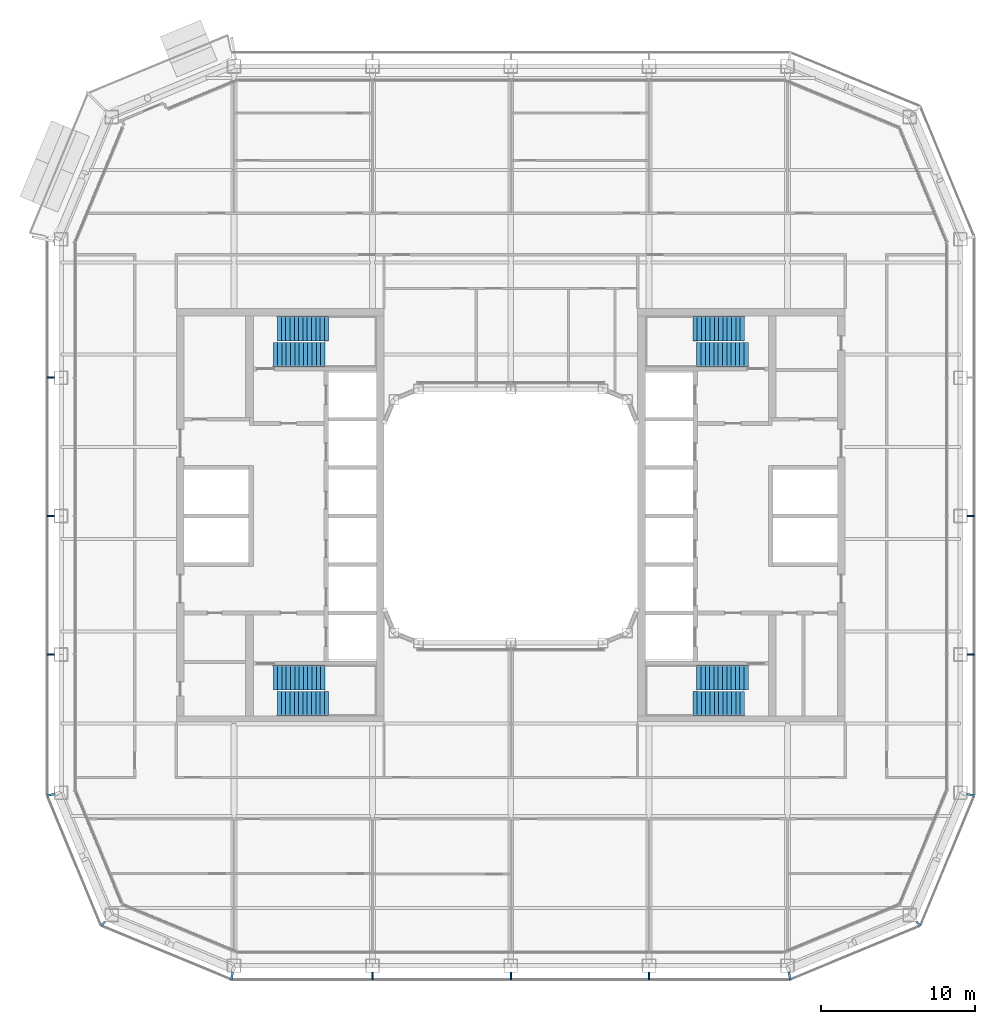
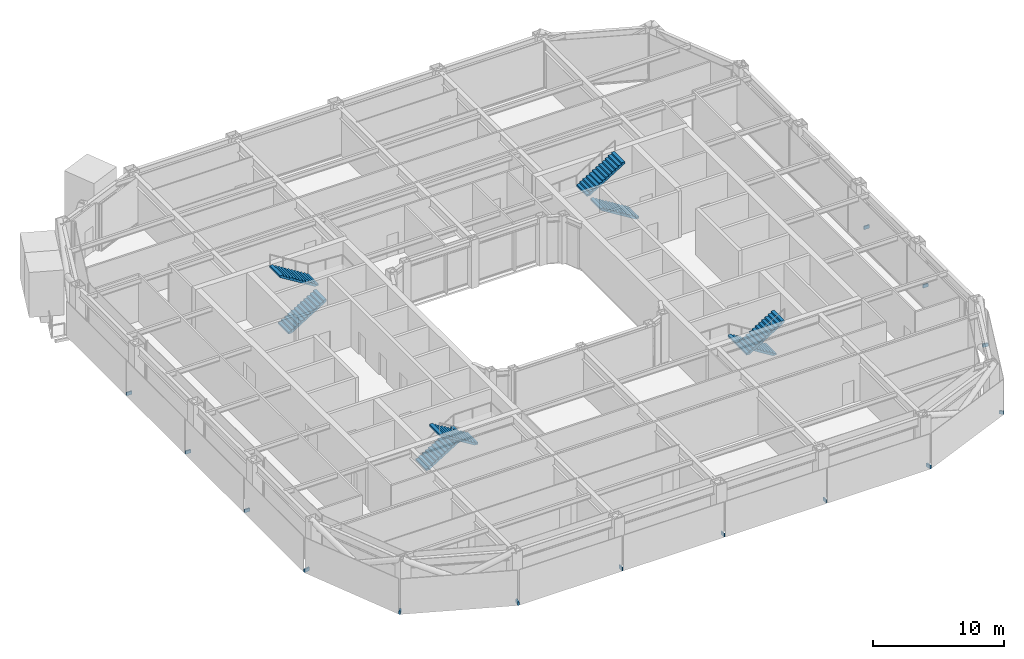
# One storey, part 15 of 23: 14 discrete accessories, 8 stair flights, 4 elements without a shape of their own.
"""IFC4 building model written with IfcOpenShell, lengths in metres."""

from ifc_helpers import new_model, si_unit, direction, frame, origin, origin_2d, place, context, subcontext, project, spatial, polyline, rectangle, outline, extrude, material, type_object, element, aggregate, save


model = new_model("IFC4")

# Units and contexts
model_context = context("Model", 3, precision=1e-05, world=origin(), true_north=direction((0.0, 1.0)))
body_context = subcontext(model_context, "Body", "Model", "MODEL_VIEW")
ifc_project = project(units=[si_unit("LENGTHUNIT", "METRE"), si_unit("AREAUNIT", "SQUARE_METRE"), si_unit("VOLUMEUNIT", "CUBIC_METRE"), si_unit("PLANEANGLEUNIT", "RADIAN"), si_unit("MASSUNIT", "GRAM", prefix="KILO")], contexts=[model_context])

# Site, building, storey
site_placement = place(None, origin())
site = spatial("IfcSite", under=ifc_project, at=site_placement, CompositionType="ELEMENT")
building_placement = place(site_placement, origin())
building = spatial("IfcBuilding", under=site, at=building_placement, Name="Siwar Civic Tower", CompositionType="ELEMENT")
storey_placement = place(building_placement, frame((0.0, 0.0, 154.199951171875)))
storey = spatial("IfcBuildingStorey", under=building, at=storey_placement, Name="L33", CompositionType="ELEMENT", Elevation=154.199951171875)

# Stair, stair flights
ifc_material_1 = material(Name="Concrete C40/50", Category="concrete")
stair_type = type_object("IfcStairType", Name="CORE-STAIR", PredefinedType="TWO_STRAIGHT_RUN_STAIR", material=ifc_material_1)
stair_1_placement = place(storey_placement, origin())
stair_1 = element("IfcStair", 1, at=stair_1_placement, inside=storey, type_object=stair_type, Name="Exit stair ST1", PredefinedType="TWO_STRAIGHT_RUN_STAIR")
ifc_material_2 = material(Name="Concrete C40/50", Category="concrete")
stair_flight_type = type_object("IfcStairFlightType", Name="CORE-STAIR-FLIGHT", PredefinedType="STRAIGHT", material=ifc_material_2)
stair_flight_1_placement = place(storey_placement, frame((-15.449951171875, 10.5, 0.0), z_axis=(0.0, 0.0, 1.0), x_axis=(1.0, 0.0, 0.0)))
stair_flight_1 = element("IfcStairFlight", 2, at=stair_flight_1_placement, type_object=stair_flight_type, Name="ST1 flight 1", NumberOfRisers=13, NumberOfTreads=12, PredefinedType="STRAIGHT", RiserHeight=0.173076923, TreadLength=0.28, context=body_context, shape_type="SweptSolid", body=[
    extrude(outline(polyline([(0.0, 0.0), (0.0, 0.173095703125), (0.280029296875, 0.173095703125), (0.280029296875, 0.34619140625), (0.56005859375, 0.34619140625), (0.56005859375, 0.519287109375), (0.840087890625, 0.519287109375), (0.840087890625, 0.6923828125), (1.1201171875, 0.6923828125), (1.1201171875, 0.865478515625), (1.39990234375, 0.865478515625), (1.39990234375, 1.03857421875), (1.679931640625, 1.03857421875), (1.679931640625, 1.21142578125), (1.9599609375, 1.21142578125), (1.9599609375, 1.384521484375), (2.239990234375, 1.384521484375), (2.239990234375, 1.5576171875), (2.52001953125, 1.5576171875), (2.52001953125, 1.730712890625), (2.800048828125, 1.730712890625), (2.800048828125, 1.90380859375), (3.080078125, 1.90380859375), (3.080078125, 2.076904296875), (3.360107421875, 2.076904296875), (3.360107421875, 2.25), (3.360107421875, 1.900634765625), (0.28515625, 0.0), (0.0, 0.0)])), frame((0.0, 0.800048828125, 0.0), z_axis=(0.0, -1.0, 0.0), x_axis=(1.0, 0.0, 0.0)), (0.0, 0.0, 1.0), 1.60009765625),
])
stair_flight_2_placement = place(storey_placement, frame((-11.840087890625, 12.199951171875, 2.25), z_axis=(0.0, 0.0, 1.0), x_axis=(-1.0, 0.0, 0.0)))
stair_flight_2 = element("IfcStairFlight", 3, at=stair_flight_2_placement, type_object=stair_flight_type, Name="ST1 flight 2", NumberOfRisers=13, NumberOfTreads=12, PredefinedType="STRAIGHT", RiserHeight=0.173076923, TreadLength=0.28, context=body_context, shape_type="SweptSolid", body=[
    extrude(outline(polyline([(0.0, 0.0), (0.0, 0.173095703125), (0.280029296875, 0.173095703125), (0.280029296875, 0.34619140625), (0.56005859375, 0.34619140625), (0.56005859375, 0.519287109375), (0.840087890625, 0.519287109375), (0.840087890625, 0.6923828125), (1.1201171875, 0.6923828125), (1.1201171875, 0.865478515625), (1.39990234375, 0.865478515625), (1.39990234375, 1.03857421875), (1.679931640625, 1.03857421875), (1.679931640625, 1.21142578125), (1.9599609375, 1.21142578125), (1.9599609375, 1.384521484375), (2.239990234375, 1.384521484375), (2.239990234375, 1.5576171875), (2.52001953125, 1.5576171875), (2.52001953125, 1.730712890625), (2.800048828125, 1.730712890625), (2.800048828125, 1.90380859375), (3.080078125, 1.90380859375), (3.080078125, 2.076904296875), (3.360107421875, 2.076904296875), (3.360107421875, 2.25), (3.360107421875, 1.900634765625), (0.28515625, 0.0), (0.0, 0.0)])), frame((0.0, 0.800048828125, 0.0), z_axis=(0.0, -1.0, 0.0), x_axis=(1.0, 0.0, 0.0)), (0.0, 0.0, 1.0), 1.60009765625),
])
aggregate(stair_1, [stair_flight_1, stair_flight_2])

stair_2_placement = place(storey_placement, origin())
stair_2 = element("IfcStair", 4, at=stair_2_placement, inside=storey, type_object=stair_type, Name="Exit stair ST2", PredefinedType="TWO_STRAIGHT_RUN_STAIR")
stair_flight_3_placement = place(storey_placement, frame((-15.449951171875, -10.5, 0.0), z_axis=(0.0, 0.0, 1.0), x_axis=(1.0, 0.0, 0.0)))
stair_flight_3 = element("IfcStairFlight", 5, at=stair_flight_3_placement, type_object=stair_flight_type, Name="ST2 flight 1", NumberOfRisers=13, NumberOfTreads=12, PredefinedType="STRAIGHT", RiserHeight=0.173076923, TreadLength=0.28, context=body_context, shape_type="SweptSolid", body=[
    extrude(outline(polyline([(0.0, 0.0), (0.0, 0.173095703125), (0.280029296875, 0.173095703125), (0.280029296875, 0.34619140625), (0.56005859375, 0.34619140625), (0.56005859375, 0.519287109375), (0.840087890625, 0.519287109375), (0.840087890625, 0.6923828125), (1.1201171875, 0.6923828125), (1.1201171875, 0.865478515625), (1.39990234375, 0.865478515625), (1.39990234375, 1.03857421875), (1.679931640625, 1.03857421875), (1.679931640625, 1.21142578125), (1.9599609375, 1.21142578125), (1.9599609375, 1.384521484375), (2.239990234375, 1.384521484375), (2.239990234375, 1.5576171875), (2.52001953125, 1.5576171875), (2.52001953125, 1.730712890625), (2.800048828125, 1.730712890625), (2.800048828125, 1.90380859375), (3.080078125, 1.90380859375), (3.080078125, 2.076904296875), (3.360107421875, 2.076904296875), (3.360107421875, 2.25), (3.360107421875, 1.900634765625), (0.28515625, 0.0), (0.0, 0.0)])), frame((0.0, 0.800048828125, 0.0), z_axis=(0.0, -1.0, 0.0), x_axis=(1.0, 0.0, 0.0)), (0.0, 0.0, 1.0), 1.60009765625),
])
stair_flight_4_placement = place(storey_placement, frame((-11.840087890625, -12.199951171875, 2.25), z_axis=(0.0, 0.0, 1.0), x_axis=(-1.0, 0.0, 0.0)))
stair_flight_4 = element("IfcStairFlight", 6, at=stair_flight_4_placement, type_object=stair_flight_type, Name="ST2 flight 2", NumberOfRisers=13, NumberOfTreads=12, PredefinedType="STRAIGHT", RiserHeight=0.173076923, TreadLength=0.28, context=body_context, shape_type="SweptSolid", body=[
    extrude(outline(polyline([(0.0, 0.0), (0.0, 0.173095703125), (0.280029296875, 0.173095703125), (0.280029296875, 0.34619140625), (0.56005859375, 0.34619140625), (0.56005859375, 0.519287109375), (0.840087890625, 0.519287109375), (0.840087890625, 0.6923828125), (1.1201171875, 0.6923828125), (1.1201171875, 0.865478515625), (1.39990234375, 0.865478515625), (1.39990234375, 1.03857421875), (1.679931640625, 1.03857421875), (1.679931640625, 1.21142578125), (1.9599609375, 1.21142578125), (1.9599609375, 1.384521484375), (2.239990234375, 1.384521484375), (2.239990234375, 1.5576171875), (2.52001953125, 1.5576171875), (2.52001953125, 1.730712890625), (2.800048828125, 1.730712890625), (2.800048828125, 1.90380859375), (3.080078125, 1.90380859375), (3.080078125, 2.076904296875), (3.360107421875, 2.076904296875), (3.360107421875, 2.25), (3.360107421875, 1.900634765625), (0.28515625, 0.0), (0.0, 0.0)])), frame((0.0, 0.800048828125, 0.0), z_axis=(0.0, -1.0, 0.0), x_axis=(1.0, 0.0, 0.0)), (0.0, 0.0, 1.0), 1.60009765625),
])
aggregate(stair_2, [stair_flight_3, stair_flight_4])

stair_3_placement = place(storey_placement, origin())
stair_3 = element("IfcStair", 7, at=stair_3_placement, inside=storey, type_object=stair_type, Name="Exit stair ST3", PredefinedType="TWO_STRAIGHT_RUN_STAIR")
stair_flight_5_placement = place(storey_placement, frame((15.449951171875, 10.5, 0.0), z_axis=(0.0, 0.0, 1.0), x_axis=(-1.0, 0.0, 0.0)))
stair_flight_5 = element("IfcStairFlight", 8, at=stair_flight_5_placement, type_object=stair_flight_type, Name="ST3 flight 1", NumberOfRisers=13, NumberOfTreads=12, PredefinedType="STRAIGHT", RiserHeight=0.173076923, TreadLength=0.28, context=body_context, shape_type="SweptSolid", body=[
    extrude(outline(polyline([(0.0, 0.0), (0.0, 0.173095703125), (0.280029296875, 0.173095703125), (0.280029296875, 0.34619140625), (0.56005859375, 0.34619140625), (0.56005859375, 0.519287109375), (0.840087890625, 0.519287109375), (0.840087890625, 0.6923828125), (1.1201171875, 0.6923828125), (1.1201171875, 0.865478515625), (1.39990234375, 0.865478515625), (1.39990234375, 1.03857421875), (1.679931640625, 1.03857421875), (1.679931640625, 1.21142578125), (1.9599609375, 1.21142578125), (1.9599609375, 1.384521484375), (2.239990234375, 1.384521484375), (2.239990234375, 1.5576171875), (2.52001953125, 1.5576171875), (2.52001953125, 1.730712890625), (2.800048828125, 1.730712890625), (2.800048828125, 1.90380859375), (3.080078125, 1.90380859375), (3.080078125, 2.076904296875), (3.360107421875, 2.076904296875), (3.360107421875, 2.25), (3.360107421875, 1.900634765625), (0.28515625, 0.0), (0.0, 0.0)])), frame((0.0, 0.800048828125, 0.0), z_axis=(0.0, -1.0, 0.0), x_axis=(1.0, 0.0, 0.0)), (0.0, 0.0, 1.0), 1.60009765625),
])
stair_flight_6_placement = place(storey_placement, frame((11.840087890625, 12.199951171875, 2.25), z_axis=(0.0, 0.0, 1.0), x_axis=(1.0, 0.0, 0.0)))
stair_flight_6 = element("IfcStairFlight", 9, at=stair_flight_6_placement, type_object=stair_flight_type, Name="ST3 flight 2", NumberOfRisers=13, NumberOfTreads=12, PredefinedType="STRAIGHT", RiserHeight=0.173076923, TreadLength=0.28, context=body_context, shape_type="SweptSolid", body=[
    extrude(outline(polyline([(0.0, 0.0), (0.0, 0.173095703125), (0.280029296875, 0.173095703125), (0.280029296875, 0.34619140625), (0.56005859375, 0.34619140625), (0.56005859375, 0.519287109375), (0.840087890625, 0.519287109375), (0.840087890625, 0.6923828125), (1.1201171875, 0.6923828125), (1.1201171875, 0.865478515625), (1.39990234375, 0.865478515625), (1.39990234375, 1.03857421875), (1.679931640625, 1.03857421875), (1.679931640625, 1.21142578125), (1.9599609375, 1.21142578125), (1.9599609375, 1.384521484375), (2.239990234375, 1.384521484375), (2.239990234375, 1.5576171875), (2.52001953125, 1.5576171875), (2.52001953125, 1.730712890625), (2.800048828125, 1.730712890625), (2.800048828125, 1.90380859375), (3.080078125, 1.90380859375), (3.080078125, 2.076904296875), (3.360107421875, 2.076904296875), (3.360107421875, 2.25), (3.360107421875, 1.900634765625), (0.28515625, 0.0), (0.0, 0.0)])), frame((0.0, 0.800048828125, 0.0), z_axis=(0.0, -1.0, 0.0), x_axis=(1.0, 0.0, 0.0)), (0.0, 0.0, 1.0), 1.60009765625),
])
aggregate(stair_3, [stair_flight_5, stair_flight_6])

stair_4_placement = place(storey_placement, origin())
stair_4 = element("IfcStair", 10, at=stair_4_placement, inside=storey, type_object=stair_type, Name="Exit stair ST4", PredefinedType="TWO_STRAIGHT_RUN_STAIR")
stair_flight_7_placement = place(storey_placement, frame((15.449951171875, -10.5, 0.0), z_axis=(0.0, 0.0, 1.0), x_axis=(-1.0, 0.0, 0.0)))
stair_flight_7 = element("IfcStairFlight", 11, at=stair_flight_7_placement, type_object=stair_flight_type, Name="ST4 flight 1", NumberOfRisers=13, NumberOfTreads=12, PredefinedType="STRAIGHT", RiserHeight=0.173076923, TreadLength=0.28, context=body_context, shape_type="SweptSolid", body=[
    extrude(outline(polyline([(0.0, 0.0), (0.0, 0.173095703125), (0.280029296875, 0.173095703125), (0.280029296875, 0.34619140625), (0.56005859375, 0.34619140625), (0.56005859375, 0.519287109375), (0.840087890625, 0.519287109375), (0.840087890625, 0.6923828125), (1.1201171875, 0.6923828125), (1.1201171875, 0.865478515625), (1.39990234375, 0.865478515625), (1.39990234375, 1.03857421875), (1.679931640625, 1.03857421875), (1.679931640625, 1.21142578125), (1.9599609375, 1.21142578125), (1.9599609375, 1.384521484375), (2.239990234375, 1.384521484375), (2.239990234375, 1.5576171875), (2.52001953125, 1.5576171875), (2.52001953125, 1.730712890625), (2.800048828125, 1.730712890625), (2.800048828125, 1.90380859375), (3.080078125, 1.90380859375), (3.080078125, 2.076904296875), (3.360107421875, 2.076904296875), (3.360107421875, 2.25), (3.360107421875, 1.900634765625), (0.28515625, 0.0), (0.0, 0.0)])), frame((0.0, 0.800048828125, 0.0), z_axis=(0.0, -1.0, 0.0), x_axis=(1.0, 0.0, 0.0)), (0.0, 0.0, 1.0), 1.60009765625),
])
stair_flight_8_placement = place(storey_placement, frame((11.840087890625, -12.199951171875, 2.25), z_axis=(0.0, 0.0, 1.0), x_axis=(1.0, 0.0, 0.0)))
stair_flight_8 = element("IfcStairFlight", 12, at=stair_flight_8_placement, type_object=stair_flight_type, Name="ST4 flight 2", NumberOfRisers=13, NumberOfTreads=12, PredefinedType="STRAIGHT", RiserHeight=0.173076923, TreadLength=0.28, context=body_context, shape_type="SweptSolid", body=[
    extrude(outline(polyline([(0.0, 0.0), (0.0, 0.173095703125), (0.280029296875, 0.173095703125), (0.280029296875, 0.34619140625), (0.56005859375, 0.34619140625), (0.56005859375, 0.519287109375), (0.840087890625, 0.519287109375), (0.840087890625, 0.6923828125), (1.1201171875, 0.6923828125), (1.1201171875, 0.865478515625), (1.39990234375, 0.865478515625), (1.39990234375, 1.03857421875), (1.679931640625, 1.03857421875), (1.679931640625, 1.21142578125), (1.9599609375, 1.21142578125), (1.9599609375, 1.384521484375), (2.239990234375, 1.384521484375), (2.239990234375, 1.5576171875), (2.52001953125, 1.5576171875), (2.52001953125, 1.730712890625), (2.800048828125, 1.730712890625), (2.800048828125, 1.90380859375), (3.080078125, 1.90380859375), (3.080078125, 2.076904296875), (3.360107421875, 2.076904296875), (3.360107421875, 2.25), (3.360107421875, 1.900634765625), (0.28515625, 0.0), (0.0, 0.0)])), frame((0.0, 0.800048828125, 0.0), z_axis=(0.0, -1.0, 0.0), x_axis=(1.0, 0.0, 0.0)), (0.0, 0.0, 1.0), 1.60009765625),
])
aggregate(stair_4, [stair_flight_7, stair_flight_8])

# Discrete accessories
ifc_material_3 = material(Name="Stainless steel 316", Category="steel")
discrete_accessory_type = type_object("IfcDiscreteAccessoryType", Name="ENV-BRACKET", PredefinedType="BRACKET", material=ifc_material_3)
for number, where, z_axis, x_axis, name in (
    (13, (29.9150390625, -9.0, -0.14990234375), (0.0, 0.0, 1.0), (1.0, 0.0, 0.0), "Bracket outer skin joint E-01"),
    (14, (29.9150390625, 0.0, -0.14990234375), (0.0, 0.0, 1.0), (1.0, 0.0, 0.0), "Bracket outer skin joint E-02"),
    (15, (-9.0, -29.9150390625, -0.14990234375), (0.0, 0.0, 1.0), (0.0, -1.0, 0.0), "Bracket outer skin joint S-01"),
    (16, (0.0, -29.9150390625, -0.14990234375), (0.0, 0.0, 1.0), (0.0, -1.0, 0.0), "Bracket outer skin joint S-02"),
    (17, (9.0, -29.9150390625, -0.14990234375), (0.0, 0.0, 1.0), (0.0, -1.0, 0.0), "Bracket outer skin joint S-03"),
):
    element("IfcDiscreteAccessory", number, at=place(storey_placement, frame(where, z_axis=z_axis, x_axis=x_axis)), inside=storey, type_object=discrete_accessory_type, Name=name, PredefinedType="BRACKET", context=body_context, shape_type="SweptSolid", body=[
        extrude(rectangle(XDim=0.469970703125, YDim=0.10009765625, at=origin_2d()), origin(), (0.0, 0.0, 1.0), 0.300048828125),
    ])
for number, where, z_axis, x_axis, name in (
    (18, (-18.13232421875, -29.915283203125, -0.14990234375), (0.0, 0.0, 1.0), (-0.195090322016, -0.980785280403, 0.0), "Bracket outer skin joint V00"),
    (19, (18.13232421875, -29.915283203125, -0.14990234375), (0.0, 0.0, 1.0), (0.195090322016, -0.980785280403, 0.0), "Bracket outer skin joint V01"),
):
    element("IfcDiscreteAccessory", number, at=place(storey_placement, frame(where, z_axis=z_axis, x_axis=x_axis)), inside=storey, type_object=discrete_accessory_type, Name=name, PredefinedType="BRACKET", context=body_context, shape_type="SweptSolid", body=[
        extrude(rectangle(XDim=0.478759765625, YDim=0.13720703125, at=origin_2d()), origin(), (0.0, 0.0, 1.0), 0.300048828125),
    ])
discrete_accessory_1_placement = place(storey_placement, frame((26.517333984375, -26.517333984375, -0.14990234375), z_axis=(0.0, 0.0, 1.0), x_axis=(0.707106781187, -0.707106781187, 0.0)))
element("IfcDiscreteAccessory", 20, at=discrete_accessory_1_placement, inside=storey, type_object=discrete_accessory_type, Name="Bracket outer skin joint V02", PredefinedType="BRACKET", context=body_context, shape_type="SweptSolid", body=[
    extrude(rectangle(XDim=0.357666015625, YDim=0.12939453125, at=origin_2d()), origin(), (0.0, 0.0, 1.0), 0.300048828125),
])
for number, where, z_axis, x_axis, name in (
    (21, (29.915283203125, -18.13232421875, -0.14990234375), (0.0, 0.0, 1.0), (0.980785280403, -0.195090322016, 0.0), "Bracket outer skin joint V03"),
    (22, (-29.915283203125, -18.13232421875, -0.14990234375), (0.0, 0.0, 1.0), (-0.980785280403, -0.195090322016, 0.0), "Bracket outer skin joint V10"),
):
    element("IfcDiscreteAccessory", number, at=place(storey_placement, frame(where, z_axis=z_axis, x_axis=x_axis)), inside=storey, type_object=discrete_accessory_type, Name=name, PredefinedType="BRACKET", context=body_context, shape_type="SweptSolid", body=[
        extrude(rectangle(XDim=0.478759765625, YDim=0.13720703125, at=origin_2d()), origin(), (0.0, 0.0, 1.0), 0.300048828125),
    ])
discrete_accessory_2_placement = place(storey_placement, frame((-26.517333984375, -26.517333984375, -0.14990234375), z_axis=(0.0, 0.0, 1.0), x_axis=(-0.707106781187, -0.707106781187, 0.0)))
element("IfcDiscreteAccessory", 23, at=discrete_accessory_2_placement, inside=storey, type_object=discrete_accessory_type, Name="Bracket outer skin joint V11", PredefinedType="BRACKET", context=body_context, shape_type="SweptSolid", body=[
    extrude(rectangle(XDim=0.357666015625, YDim=0.12939453125, at=origin_2d()), origin(), (0.0, 0.0, 1.0), 0.300048828125),
])
for number, where, z_axis, x_axis, name in (
    (24, (-29.9150390625, 9.0, -0.14990234375), (0.0, 0.0, 1.0), (-1.0, 0.0, 0.0), "Bracket outer skin joint W-01"),
    (25, (-29.9150390625, 0.0, -0.14990234375), (0.0, 0.0, 1.0), (-1.0, 0.0, 0.0), "Bracket outer skin joint W-02"),
    (26, (-29.9150390625, -9.0, -0.14990234375), (0.0, 0.0, 1.0), (-1.0, 0.0, 0.0), "Bracket outer skin joint W-03"),
):
    element("IfcDiscreteAccessory", number, at=place(storey_placement, frame(where, z_axis=z_axis, x_axis=x_axis)), inside=storey, type_object=discrete_accessory_type, Name=name, PredefinedType="BRACKET", context=body_context, shape_type="SweptSolid", body=[
        extrude(rectangle(XDim=0.469970703125, YDim=0.10009765625, at=origin_2d()), origin(), (0.0, 0.0, 1.0), 0.300048828125),
    ])

save(model, "model.ifc")
